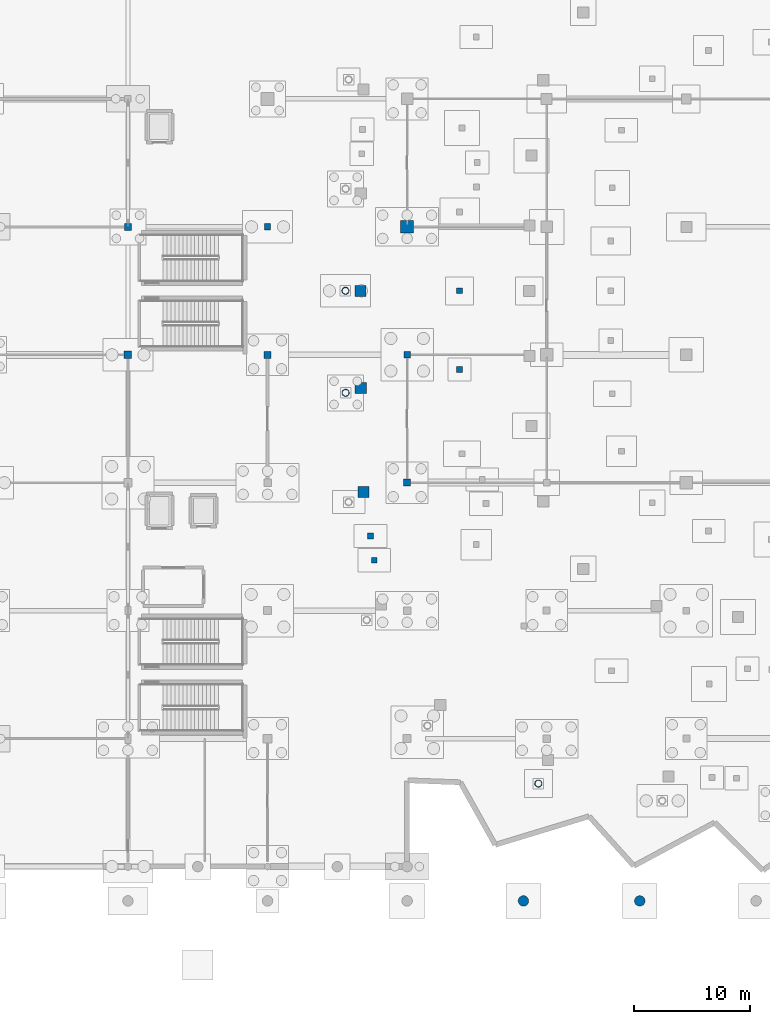
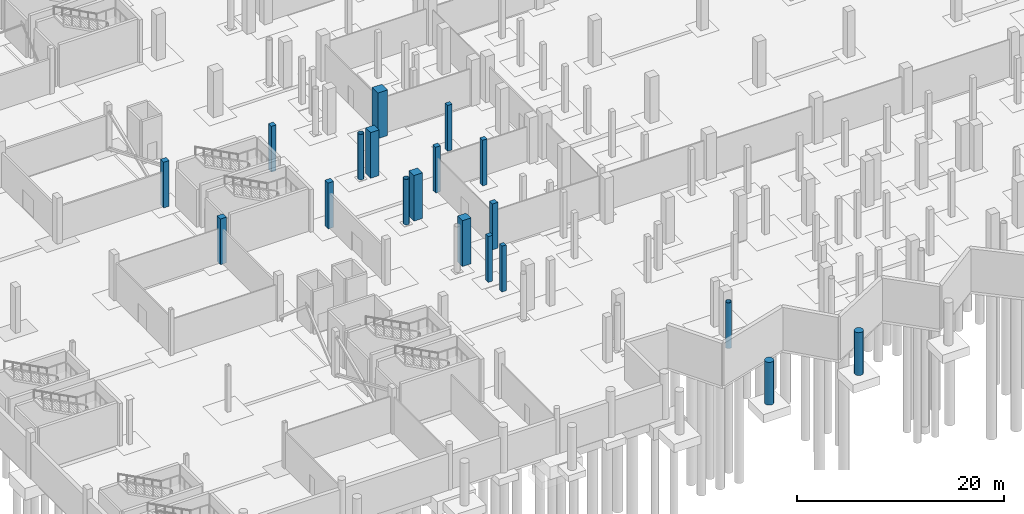
# One storey, part 12 of 60: 19 columns.
"""IFC4 building model written with IfcOpenShell, lengths in metres."""

from ifc_helpers import new_model, si_unit, direction, frame, origin, origin_2d, place, context, subcontext, project, spatial, rectangle, circle, hollow_circle, extrude, material, material_profile, profile_set, type_object, element, save


model = new_model("IFC4")

# Units and contexts
model_context = context("Model", 3, precision=1e-05, world=origin(), true_north=direction((0.0, 1.0)))
body_context = subcontext(model_context, "Body", "Model", "MODEL_VIEW")
ifc_project = project(units=[si_unit("LENGTHUNIT", "METRE"), si_unit("AREAUNIT", "SQUARE_METRE"), si_unit("VOLUMEUNIT", "CUBIC_METRE"), si_unit("PLANEANGLEUNIT", "RADIAN"), si_unit("MASSUNIT", "GRAM", prefix="KILO")], contexts=[model_context])

# Site, building, storey
site_placement = place(None, origin())
site = spatial("IfcSite", under=ifc_project, at=site_placement, CompositionType="ELEMENT")
building_placement = place(site_placement, origin())
building = spatial("IfcBuilding", under=site, at=building_placement, Name="Luwafu Chhajja Arena", CompositionType="ELEMENT")
storey_placement = place(building_placement, frame((0.0, 0.0, -5.39990234375)))
storey = spatial("IfcBuildingStorey", under=building, at=storey_placement, Name="B1", CompositionType="ELEMENT", Elevation=-5.39990234375)

# Columns
ifc_material_1 = material(Name="Concrete C40/50", Category="concrete")
ifc_material_profile_1 = material_profile(ifc_material_1, rectangle(XDim=0.949951171875, YDim=0.949951171875, at=origin_2d()), Name="RC 950x950")
ifc_profile_set_1 = profile_set([ifc_material_profile_1], Name="Concrete C40/50")
column_type_1 = type_object("IfcColumnType", Name="Bowl Raker Support Column RC 950", PredefinedType="COLUMN", material=ifc_profile_set_1)
for number, where, z_axis, x_axis, name in (
    (1, (54.0, 49.5, 0.0), (0.0, 0.0, 1.0), (1.0, 0.0, 0.0), "B1 Upper Bowl Raker Column UO17"),
    (2, (54.01220703125, 41.14794921875, 0.0), (0.0, 0.0, 1.0), (1.0, 0.0, 0.0), "B1 Upper Bowl Raker Column UO18"),
    (3, (54.260498046875, 32.20361328125, 0.0), (0.0, 0.0, 1.0), (1.0, 0.0, 0.0), "B1 Upper Bowl Raker Column UO19"),
):
    element("IfcColumn", number, at=place(storey_placement, frame(where, z_axis=z_axis, x_axis=x_axis)), inside=storey, type_object=column_type_1, Name=name, PredefinedType="COLUMN", context=body_context, shape_type="SweptSolid", body=[
        extrude(rectangle(XDim=0.949951171875, YDim=0.949951171875, at=origin_2d()), origin(), (0.0, 0.0, 1.0), 5.39990234375),
    ])
ifc_material_profile_2 = material_profile(ifc_material_1, rectangle(XDim=1.10009765625, YDim=1.10009765625, at=origin_2d()), Name="RC 1100x1100")
ifc_profile_set_2 = profile_set([ifc_material_profile_2], Name="Concrete C40/50")
column_type_2 = type_object("IfcColumnType", Name="Bowl Rim Mega Column RC 1100", PredefinedType="COLUMN", material=ifc_profile_set_2)
column_1_placement = place(storey_placement, frame((58.0, 55.0, 0.0), z_axis=(0.0, 0.0, 1.0), x_axis=(1.0, 0.0, 0.0)))
element("IfcColumn", 4, at=column_1_placement, inside=storey, type_object=column_type_2, Name="B1 Grid Column 6/F", PredefinedType="COLUMN", context=body_context, shape_type="SweptSolid", body=[
    extrude(rectangle(XDim=1.10009765625, YDim=1.10009765625, at=origin_2d()), origin(), (0.0, 0.0, 1.0), 5.39990234375),
])
ifc_material_2 = material(Name="Concrete C35/45", Category="concrete")
ifc_material_profile_3 = material_profile(ifc_material_2, rectangle(XDim=0.550048828125, YDim=0.550048828125, at=origin_2d()), Name="RC 550x550")
ifc_profile_set_3 = profile_set([ifc_material_profile_3], Name="Concrete C35/45")
column_type_3 = type_object("IfcColumnType", Name="Gallery Column RC 550", PredefinedType="COLUMN", material=ifc_profile_set_3)
for number, where, z_axis, x_axis, name in (
    (5, (46.0, 55.0, 0.0), (0.0, 0.0, 1.0), (1.0, 0.0, 0.0), "B1 Grid Column 5/F"),
    (6, (58.0, 44.0, 0.0), (0.0, 0.0, 1.0), (1.0, 0.0, 0.0), "B1 Grid Column 6/E"),
):
    element("IfcColumn", number, at=place(storey_placement, frame(where, z_axis=z_axis, x_axis=x_axis)), inside=storey, type_object=column_type_3, Name=name, PredefinedType="COLUMN", context=body_context, shape_type="SweptSolid", body=[
        extrude(rectangle(XDim=0.550048828125, YDim=0.550048828125, at=origin_2d()), origin(), (0.0, 0.0, 1.0), 5.39990234375),
    ])
ifc_material_profile_4 = material_profile(ifc_material_2, rectangle(XDim=0.60009765625, YDim=0.60009765625, at=origin_2d()), Name="RC 600x600")
ifc_profile_set_4 = profile_set([ifc_material_profile_4], Name="Concrete C35/45")
column_type_4 = type_object("IfcColumnType", Name="Mezzanine Column RC 600", PredefinedType="COLUMN", material=ifc_profile_set_4)
for number, where, z_axis, x_axis, name in (
    (7, (34.0, 55.0, 0.0), (0.0, 0.0, 1.0), (1.0, 0.0, 0.0), "B1 Grid Column 4/F"),
    (8, (46.0, 44.0, 0.0), (0.0, 0.0, 1.0), (1.0, 0.0, 0.0), "B1 Grid Column 5/E"),
    (9, (58.0, 33.0, 0.0), (0.0, 0.0, 1.0), (1.0, 0.0, 0.0), "B1 Grid Column 6/D"),
):
    element("IfcColumn", number, at=place(storey_placement, frame(where, z_axis=z_axis, x_axis=x_axis)), inside=storey, type_object=column_type_4, Name=name, PredefinedType="COLUMN", context=body_context, shape_type="SweptSolid", body=[
        extrude(rectangle(XDim=0.60009765625, YDim=0.60009765625, at=origin_2d()), origin(), (0.0, 0.0, 1.0), 5.39990234375),
    ])
ifc_material_profile_5 = material_profile(ifc_material_1, circle(Radius=0.449951171875, at=origin_2d()), Name="RC COL D900")
ifc_profile_set_5 = profile_set([ifc_material_profile_5], Name="Concrete C40/50")
column_type_5 = type_object("IfcColumnType", Name="Mughal Colonnade Drum Pier D900", PredefinedType="COLUMN", material=ifc_profile_set_5)
for number, where, z_axis, x_axis, name in (
    (10, (68.0, -2.949951171875, 0.0), (0.0, 0.0, 1.0), (1.0, 0.0, 0.0), "B1 Plinth Apron Pier FC07"),
    (11, (78.0, -2.949951171875, 0.0), (0.0, 0.0, 1.0), (1.0, 0.0, 0.0), "B1 Plinth Apron Pier FC08"),
):
    element("IfcColumn", number, at=place(storey_placement, frame(where, z_axis=z_axis, x_axis=x_axis)), inside=storey, type_object=column_type_5, Name=name, PredefinedType="COLUMN", context=body_context, shape_type="SweptSolid", body=[
        extrude(circle(Radius=0.449951171875, at=origin_2d()), origin(), (0.0, 0.0, 1.0), 5.0498046875),
    ])
ifc_material_profile_6 = material_profile(ifc_material_2, rectangle(XDim=0.5, YDim=0.5, at=origin_2d()), Name="RC 500x500")
ifc_profile_set_6 = profile_set([ifc_material_profile_6], Name="Concrete C35/45")
column_type_6 = type_object("IfcColumnType", Name="Pavilion Column RC 500", PredefinedType="COLUMN", material=ifc_profile_set_6)
for number, where, z_axis, x_axis, name in (
    (12, (62.5, 49.5, 0.0), (0.0, 0.0, 1.0), (1.0, 0.0, 0.0), "B1 Lower Bowl Support Column 17"),
    (13, (62.509765625, 42.73876953125, 0.0), (0.0, 0.0, 1.0), (1.0, 0.0, 0.0), "B1 Lower Bowl Support Column 18"),
    (14, (54.854248046875, 28.41015625, 0.0), (0.0, 0.0, 1.0), (1.0, 0.0, 0.0), "B1 Vomitory Stack Column VU19A"),
    (15, (55.178955078125, 26.33544921875, 0.0), (0.0, 0.0, 1.0), (1.0, 0.0, 0.0), "B1 Vomitory Stack Column VU19B"),
):
    element("IfcColumn", number, at=place(storey_placement, frame(where, z_axis=z_axis, x_axis=x_axis)), inside=storey, type_object=column_type_6, Name=name, PredefinedType="COLUMN", context=body_context, shape_type="SweptSolid", body=[
        extrude(rectangle(XDim=0.5, YDim=0.5, at=origin_2d()), origin(), (0.0, 0.0, 1.0), 5.39990234375),
    ])
ifc_material_3 = material(Name="Steel S355", Category="steel")
ifc_material_profile_7 = material_profile(ifc_material_3, hollow_circle(Radius=0.304931640625, WallThickness=0.02490234375, at=origin_2d()), Name="CHS 610x25")
ifc_profile_set_7 = profile_set([ifc_material_profile_7], Name="Steel S355")
column_type_7 = type_object("IfcColumnType", Name="Steel Bowl Drum Column CHS 610", PredefinedType="COLUMN", material=ifc_profile_set_7)
for number, where, z_axis, x_axis, name in (
    (16, (52.699951171875, 49.5, 0.0), (0.0, 0.0, 1.0), (1.0, 0.0, 0.0), "B1 Bowl Drum Column D17"),
    (17, (52.71240234375, 40.730224609375, 0.0), (0.0, 0.0, 1.0), (1.0, 0.0, 0.0), "B1 Bowl Drum Column D18"),
    (18, (69.281982421875, 7.13720703125, 0.0), (0.0, 0.0, 1.0), (1.0, 0.0, 0.0), "B1 Bowl Drum Column D22"),
):
    element("IfcColumn", number, at=place(storey_placement, frame(where, z_axis=z_axis, x_axis=x_axis)), inside=storey, type_object=column_type_7, Name=name, PredefinedType="COLUMN", context=body_context, shape_type="SweptSolid", body=[
        extrude(hollow_circle(Radius=0.304931640625, WallThickness=0.02490234375, at=origin_2d()), origin(), (0.0, 0.0, 1.0), 5.39990234375),
    ])
ifc_material_profile_8 = material_profile(ifc_material_2, rectangle(XDim=0.64990234375, YDim=0.64990234375, at=origin_2d()), Name="RC 650x650")
ifc_profile_set_8 = profile_set([ifc_material_profile_8], Name="Concrete C35/45")
column_type_8 = type_object("IfcColumnType", Name="Upper Wing Column RC 650", PredefinedType="COLUMN", material=ifc_profile_set_8)
column_2_placement = place(storey_placement, frame((34.0, 44.0, 0.0), z_axis=(0.0, 0.0, 1.0), x_axis=(1.0, 0.0, 0.0)))
element("IfcColumn", 19, at=column_2_placement, inside=storey, type_object=column_type_8, Name="B1 Grid Column 4/E", PredefinedType="COLUMN", context=body_context, shape_type="SweptSolid", body=[
    extrude(rectangle(XDim=0.64990234375, YDim=0.64990234375, at=origin_2d()), origin(), (0.0, 0.0, 1.0), 5.39990234375),
])

save(model, "model.ifc")
